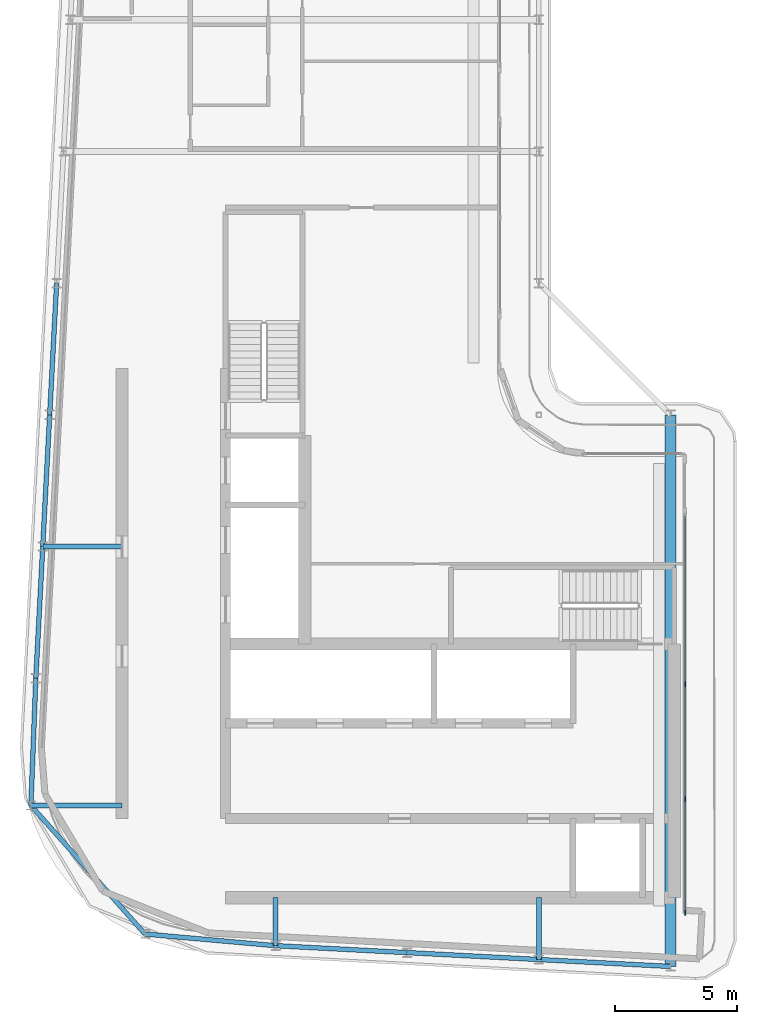
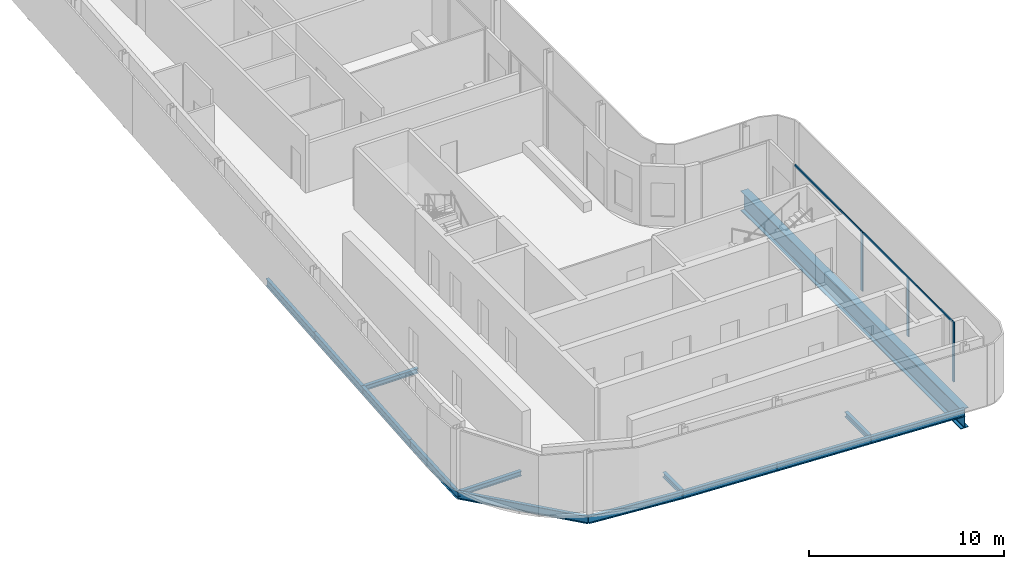
# One storey, part 4 of 18: 14 beams, 5 members, 2 elements without a shape of their own.
"""IFC4 building model written with IfcOpenShell, lengths in metres."""

import ifcopenshell
import ifcopenshell.guid

model = None  # the IFC model being written
_history = None  # IfcOwnerHistory: only IFC2X3 demands one
_inside = {}  # id of a spatial element -> (the spatial element, [elements in it])
_under = {}  # id of a project, library or spatial element -> (it, [spatial elements below it])
_declared = {}  # id of a project -> (the project, [libraries it declares])
_typed = {}  # id of a type object -> (the type object, [elements of that type])
_made_of = {}  # id of a material, layer set ... -> (it, [elements and type objects made of it])


def new_model(schema):
    """Start an empty IFC model of exactly this schema.

    Asked for "IFC4X3", IfcOpenShell would pick the latest addendum, in which some entities
    have other attributes; the version numbers below select the first issue.
    IFC2X3 requires an IfcOwnerHistory on every rooted entity: one is made here for all.
    """
    global model, _history
    if schema == "IFC4X3":
        model = ifcopenshell.file(schema_version=(4, 3, 0, 0))
    else:
        model = ifcopenshell.file(schema=schema)
    _inside.clear()
    _under.clear()
    _declared.clear()
    _typed.clear()
    _made_of.clear()
    _history = None
    if model.schema == "IFC2X3":
        org = make("IfcOrganization", Name="unknown")
        user = make(
            "IfcPersonAndOrganization",
            ThePerson=make("IfcPerson", FamilyName="unknown"),
            TheOrganization=org,
        )
        app = make(
            "IfcApplication",
            ApplicationDeveloper=org,
            Version="unknown",
            ApplicationFullName="unknown",
            ApplicationIdentifier="unknown",
        )
        _history = make(
            "IfcOwnerHistory",
            OwningUser=user,
            OwningApplication=app,
            ChangeAction="ADDED",
            CreationDate=0,
        )
    return model


def make(cls, **values):
    """One entity of the class cls with the attributes given. An attribute that is None is left unset."""
    return model.create_entity(
        cls, **{name: value for name, value in values.items() if value is not None}
    )


def rooted(cls, **values):
    """An entity with a GlobalId (a new one), such as an element, a storey or a relation."""
    return make(cls, GlobalId=ifcopenshell.guid.new(), OwnerHistory=_history, **values)


def si_unit(unit_type, name, prefix=None):
    """IfcSIUnit, for example si_unit("LENGTHUNIT", "METRE", prefix="MILLI")."""
    return make("IfcSIUnit", UnitType=unit_type, Prefix=prefix, Name=name)


def assignment(units):
    """IfcUnitAssignment: the units of a project."""
    return None if units is None else make("IfcUnitAssignment", Units=units)


def point(xyz):
    """IfcCartesianPoint."""
    return None if xyz is None else make("IfcCartesianPoint", Coordinates=xyz)


def direction(xyz):
    """IfcDirection."""
    return None if xyz is None else make("IfcDirection", DirectionRatios=xyz)


def frame(location, z_axis=None, x_axis=None):
    """IfcAxis2Placement3D, a coordinate frame: its origin and axes. An axis left out is left unset."""
    return make(
        "IfcAxis2Placement3D",
        Location=point(location),
        Axis=direction(z_axis),
        RefDirection=direction(x_axis),
    )


def frame_2d(location, x_axis=None):
    """IfcAxis2Placement2D, a coordinate frame in the plane: its origin and x axis."""
    return make(
        "IfcAxis2Placement2D", Location=point(location), RefDirection=direction(x_axis)
    )


def origin():
    """The frame at (0, 0, 0) with its axes left unset."""
    return frame((0.0, 0.0, 0.0))


def origin_2d():
    """The frame at (0, 0) in the plane with its x axis left unset."""
    return frame_2d((0.0, 0.0))


def place(relative_to, where):
    """IfcLocalPlacement: puts the frame where relative to a parent placement (None: the world)."""
    return make(
        "IfcLocalPlacement", PlacementRelTo=relative_to, RelativePlacement=where
    )


def context(
    kind, dimensions, precision=None, world=None, true_north=None, identifier=None
):
    """IfcGeometricRepresentationContext, for example the 3D "Model" context."""
    return make(
        "IfcGeometricRepresentationContext",
        ContextIdentifier=identifier,
        ContextType=kind,
        CoordinateSpaceDimension=dimensions,
        Precision=precision,
        WorldCoordinateSystem=world,
        TrueNorth=true_north,
    )


def subcontext(parent, identifier, kind, view, scale=None):
    """IfcGeometricRepresentationSubContext, for example "Body" below "Model"."""
    return make(
        "IfcGeometricRepresentationSubContext",
        ContextIdentifier=identifier,
        ContextType=kind,
        ParentContext=parent,
        TargetScale=scale,
        TargetView=view,
    )


def project(units=None, contexts=None):
    """IfcProject with its units and contexts."""
    return rooted(
        "IfcProject",
        Name="project",
        RepresentationContexts=contexts,
        UnitsInContext=assignment(units),
    )


def spatial(cls, under=None, at=None, **own):
    """A site, building, storey or space (cls), placed at a placement, below another one or the project."""
    s = rooted(cls, ObjectPlacement=at, **own)
    if under is not None:
        _under.setdefault(under.id(), (under, []))[1].append(s)
    return s


def profile(cls, at=None, kind="AREA", **sizes):
    """A parametric profile (cls). Its sizes go by their IFC names, for example OverallWidth=200.0."""
    return make(cls, ProfileType=kind, Position=at, **sizes)


def rectangle(**sizes):
    """IfcRectangleProfileDef."""
    return profile("IfcRectangleProfileDef", **sizes)


def i_section(**sizes):
    """IfcIShapeProfileDef."""
    return profile("IfcIShapeProfileDef", **sizes)


def extrude(swept, where, along, depth):
    """IfcExtrudedAreaSolid: the profile swept, set in the frame where, extruded along a direction by depth."""
    return make(
        "IfcExtrudedAreaSolid",
        SweptArea=swept,
        Position=where,
        ExtrudedDirection=direction(along),
        Depth=depth,
    )


def shape(context_of_items, identifier, shape_type, items):
    """IfcShapeRepresentation: the items that make up one representation, for example the "Body"."""
    return make(
        "IfcShapeRepresentation",
        ContextOfItems=context_of_items,
        RepresentationIdentifier=identifier,
        RepresentationType=shape_type,
        Items=items,
    )


def material(Name=None, Category=None):
    """IfcMaterial."""
    return make("IfcMaterial", Name=Name, Category=Category)


def layer(
    of_material, thickness, ventilated=None, Name=None, Category=None, Priority=None
):
    """IfcMaterialLayer: one layer of a wall or slab, of a material (None: an air gap)."""
    return make(
        "IfcMaterialLayer",
        Material=of_material,
        LayerThickness=thickness,
        IsVentilated=ventilated,
        Name=Name,
        Category=Category,
        Priority=Priority,
    )


def layer_set(layers, Name=None):
    """IfcMaterialLayerSet."""
    return make("IfcMaterialLayerSet", MaterialLayers=layers, LayerSetName=Name)


def material_profile(
    of_material, cross_section, Name=None, Category=None, Priority=None
):
    """IfcMaterialProfile: a cross section and its material."""
    return make(
        "IfcMaterialProfile",
        Name=Name,
        Material=of_material,
        Profile=cross_section,
        Priority=Priority,
        Category=Category,
    )


def profile_set(profiles, Name=None, composite=None):
    """IfcMaterialProfileSet."""
    return make(
        "IfcMaterialProfileSet",
        Name=Name,
        MaterialProfiles=profiles,
        CompositeProfile=composite,
    )


def made_of(thing, what):
    """Note that an element or type object is made of a material, layer set ...; save() writes the relation."""
    if what is not None:
        _made_of.setdefault(what.id(), (what, []))[1].append(thing)
    return thing


def type_object(cls, material=None, **own):
    """A type object (cls), such as IfcWallType, which elements share."""
    return made_of(rooted(cls, **own), material)


def element(
    cls,
    number,
    at=None,
    inside=None,
    cuts=None,
    type_object=None,
    material=None,
    context=None,
    identifier="Body",
    shape_type=None,
    held_by="IfcProductDefinitionShape",
    body=None,
    shapes=None,
    **own,
):
    """One element of the class cls, such as IfcWall. Its Tag is "e" and its number.

    at: its placement. inside: the storey or other place that contains it. cuts: it is an
    opening in that element (IfcRelVoidsElement). A single representation is given by context,
    identifier, shape_type and body (its items); several are given by shapes. held_by: the class
    of the entity that holds the representations. save() writes the other relations.
    """
    e = rooted(cls, Tag="e%d" % number, ObjectPlacement=at, **own)
    if body is not None:
        shapes = [shape(context, identifier, shape_type, body)]
    if shapes is not None:
        e.Representation = make(held_by, Representations=shapes)
    if inside is not None:
        _inside.setdefault(inside.id(), (inside, []))[1].append(e)
    if cuts is not None:
        rooted(
            "IfcRelVoidsElement", RelatingBuildingElement=cuts, RelatedOpeningElement=e
        )
    if type_object is not None:
        _typed.setdefault(type_object.id(), (type_object, []))[1].append(e)
    return made_of(e, material)


def aggregate(whole, parts):
    """IfcRelAggregates: a whole, such as a stair, and the parts it consists of."""
    return rooted("IfcRelAggregates", RelatingObject=whole, RelatedObjects=parts)


def save(model, path):
    """Write the relations noted so far, then the file.

    IfcRelAggregates (storeys below a building ...), IfcRelContainedInSpatialStructure (elements
    in a storey), IfcRelDefinesByType, IfcRelAssociatesMaterial and IfcRelDeclares: one each for
    every whole, place, type object, material and project.
    """
    for whole, parts in _under.values():
        aggregate(whole, parts)
    for where, things in _inside.values():
        rooted(
            "IfcRelContainedInSpatialStructure",
            RelatedElements=things,
            RelatingStructure=where,
        )
    for kind, things in _typed.values():
        rooted("IfcRelDefinesByType", RelatedObjects=things, RelatingType=kind)
    for what, things in _made_of.values():
        rooted("IfcRelAssociatesMaterial", RelatedObjects=things, RelatingMaterial=what)
    for by, libraries in _declared.values():
        rooted("IfcRelDeclares", RelatingContext=by, RelatedDefinitions=libraries)
    model.write(path)


model = new_model("IFC4")

# Units and contexts
model_context = context("Model", 3, precision=1e-05, world=origin(), true_north=direction((0.0, 1.0)))
body_context = subcontext(model_context, "Body", "Model", "MODEL_VIEW")
ifc_project = project(units=[si_unit("LENGTHUNIT", "METRE"), si_unit("AREAUNIT", "SQUARE_METRE"), si_unit("VOLUMEUNIT", "CUBIC_METRE"), si_unit("PLANEANGLEUNIT", "RADIAN"), si_unit("MASSUNIT", "GRAM", prefix="KILO")], contexts=[model_context])

# Site, building, storey
site_placement = place(None, origin())
site = spatial("IfcSite", under=ifc_project, at=site_placement, CompositionType="ELEMENT")
building_placement = place(site_placement, origin())
building = spatial("IfcBuilding", under=site, at=building_placement, Name="Kheshtan School and Residences Tower", CompositionType="ELEMENT")
storey_placement = place(building_placement, frame((0.0, 0.0, 361.699951171875)))
storey = spatial("IfcBuildingStorey", under=building, at=storey_placement, Name="L85", CompositionType="ELEMENT", Elevation=361.699951171875)

# Beams
ifc_material_1 = material(Name="Steel ASTM A992 Grade 50", Category="steel")
ifc_material_profile_1 = material_profile(ifc_material_1, i_section(OverallWidth=0.202880859375, OverallDepth=0.302978515625, WebThickness=0.007568359375, FlangeThickness=0.01318359375, FilletRadius=0.009033203125, at=origin_2d()), Name="W310x60")
ifc_profile_set_1 = profile_set([ifc_material_profile_1], Name="Steel ASTM A992 Grade 50")
beam_type_1 = type_object("IfcBeamType", Name="Beam FB1 W310x60 ASTM A992 Grade 50", PredefinedType="BEAM", material=ifc_profile_set_1)
beam_1_placement = place(storey_placement, frame((47.60009765625, 23.263916015625, -0.301513671875), z_axis=(0.0, 1.0, 0.0), x_axis=(-1.0, 0.0, 0.0)))
element("IfcBeam", 1, at=beam_1_placement, inside=storey, type_object=beam_type_1, Name="Floor beam C020", PredefinedType="BEAM", context=body_context, shape_type="SweptSolid", body=[
    extrude(i_section(OverallWidth=0.202880859375, OverallDepth=0.302978515625, WebThickness=0.007568359375, FlangeThickness=0.01318359375, FilletRadius=0.009033203125, at=origin_2d()), origin(), (0.0, 0.0, 1.0), 2.5361328125),
])
beam_2_placement = place(storey_placement, frame((36.800048828125, 23.83203125, -0.301513671875), z_axis=(0.0, 1.0, 0.0), x_axis=(-1.0, 0.0, 0.0)))
element("IfcBeam", 2, at=beam_2_placement, inside=storey, type_object=beam_type_1, Name="Floor beam C022", PredefinedType="BEAM", context=body_context, shape_type="SweptSolid", body=[
    extrude(i_section(OverallWidth=0.202880859375, OverallDepth=0.302978515625, WebThickness=0.007568359375, FlangeThickness=0.01318359375, FilletRadius=0.009033203125, at=origin_2d()), origin(), (0.0, 0.0, 1.0), 1.968017578125),
])
beam_3_placement = place(storey_placement, frame((26.76708984375, 29.58203125, -0.301513671875), z_axis=(1.0, 0.0, 0.0), x_axis=(0.0, 1.0, 0.0)))
element("IfcBeam", 3, at=beam_3_placement, inside=storey, type_object=beam_type_1, Name="Floor beam C048", PredefinedType="BEAM", context=body_context, shape_type="SweptSolid", body=[
    extrude(i_section(OverallWidth=0.202880859375, OverallDepth=0.302978515625, WebThickness=0.007568359375, FlangeThickness=0.01318359375, FilletRadius=0.009033203125, at=origin_2d()), origin(), (0.0, 0.0, 1.0), 3.73291015625),
])
beam_4_placement = place(storey_placement, frame((27.2529296875, 40.199951171875, -0.301513671875), z_axis=(1.0, 0.0, 0.0), x_axis=(0.0, 1.0, 0.0)))
element("IfcBeam", 4, at=beam_4_placement, inside=storey, type_object=beam_type_1, Name="Floor beam C056", PredefinedType="BEAM", context=body_context, shape_type="SweptSolid", body=[
    extrude(i_section(OverallWidth=0.202880859375, OverallDepth=0.302978515625, WebThickness=0.007568359375, FlangeThickness=0.01318359375, FilletRadius=0.009033203125, at=origin_2d()), origin(), (0.0, 0.0, 1.0), 3.2470703125),
])
ifc_material_profile_2 = material_profile(ifc_material_1, i_section(OverallWidth=0.18994140625, OverallDepth=0.45703125, WebThickness=0.009033203125, FlangeThickness=0.014404296875, FilletRadius=0.01318359375, at=origin_2d()), Name="W460x74")
ifc_profile_set_2 = profile_set([ifc_material_profile_2], Name="Steel ASTM A992 Grade 50")
beam_type_2 = type_object("IfcBeamType", Name="Beam SP4 W460x74 ASTM A992 Grade 50", PredefinedType="BEAM", material=ifc_profile_set_2)
beam_5_placement = place(storey_placement, frame((53.0, 22.97998046875, -0.37841796875), z_axis=(-0.998620447272, 0.05250906864, 0.0), x_axis=(-0.05250906864, -0.998620447272, 0.0)))
element("IfcBeam", 5, at=beam_5_placement, inside=storey, type_object=beam_type_2, Name="Spandrel beam C019-C020", PredefinedType="BEAM", context=body_context, shape_type="SweptSolid", body=[
    extrude(i_section(OverallWidth=0.18994140625, OverallDepth=0.45703125, WebThickness=0.009033203125, FlangeThickness=0.014404296875, FilletRadius=0.01318359375, at=origin_2d()), origin(), (0.0, 0.0, 1.0), 5.407470703125),
])
beam_6_placement = place(storey_placement, frame((47.60009765625, 23.263916015625, -0.37841796875), z_axis=(-0.998618203458, 0.052551724256, 0.0), x_axis=(-0.052551724256, -0.998618203458, 0.0)))
element("IfcBeam", 6, at=beam_6_placement, inside=storey, type_object=beam_type_2, Name="Spandrel beam C020-C021", PredefinedType="BEAM", context=body_context, shape_type="SweptSolid", body=[
    extrude(i_section(OverallWidth=0.18994140625, OverallDepth=0.45703125, WebThickness=0.009033203125, FlangeThickness=0.014404296875, FilletRadius=0.01318359375, at=origin_2d()), origin(), (0.0, 0.0, 1.0), 5.40771484375),
])
beam_7_placement = place(storey_placement, frame((42.199951171875, 23.548095703125, -0.37841796875), z_axis=(-0.998620447272, 0.05250906864, 0.0), x_axis=(-0.05250906864, -0.998620447272, 0.0)))
element("IfcBeam", 7, at=beam_7_placement, inside=storey, type_object=beam_type_2, Name="Spandrel beam C021-C022", PredefinedType="BEAM", context=body_context, shape_type="SweptSolid", body=[
    extrude(i_section(OverallWidth=0.18994140625, OverallDepth=0.45703125, WebThickness=0.009033203125, FlangeThickness=0.014404296875, FilletRadius=0.01318359375, at=origin_2d()), origin(), (0.0, 0.0, 1.0), 5.407470703125),
])
beam_8_placement = place(storey_placement, frame((36.800048828125, 23.83203125, -0.37841796875), z_axis=(-0.996036411806, 0.088946424077, 0.0), x_axis=(-0.088946424077, -0.996036411806, 0.0)))
element("IfcBeam", 8, at=beam_8_placement, inside=storey, type_object=beam_type_2, Name="Spandrel beam C022-C034", PredefinedType="BEAM", context=body_context, shape_type="SweptSolid", body=[
    extrude(i_section(OverallWidth=0.18994140625, OverallDepth=0.45703125, WebThickness=0.009033203125, FlangeThickness=0.014404296875, FilletRadius=0.01318359375, at=origin_2d()), origin(), (0.0, 0.0, 1.0), 5.374267578125),
])
beam_9_placement = place(storey_placement, frame((31.447021484375, 24.31005859375, -0.37841796875), z_axis=(-0.663867136248, 0.747850536812, 0.0), x_axis=(-0.747850536812, -0.663867136248, 0.0)))
element("IfcBeam", 9, at=beam_9_placement, inside=storey, type_object=beam_type_2, Name="Spandrel beam C034-C048", PredefinedType="BEAM", context=body_context, shape_type="SweptSolid", body=[
    extrude(i_section(OverallWidth=0.18994140625, OverallDepth=0.45703125, WebThickness=0.009033203125, FlangeThickness=0.014404296875, FilletRadius=0.01318359375, at=origin_2d()), origin(), (0.0, 0.0, 1.0), 7.049560546875),
])
beam_10_placement = place(storey_placement, frame((26.76708984375, 29.58203125, -0.37841796875), z_axis=(0.038664745323, 0.999252239161, 0.0), x_axis=(-0.999252239161, 0.038664745323, 0.0)))
element("IfcBeam", 10, at=beam_10_placement, inside=storey, type_object=beam_type_2, Name="Spandrel beam C048-C052", PredefinedType="BEAM", context=body_context, shape_type="SweptSolid", body=[
    extrude(i_section(OverallWidth=0.18994140625, OverallDepth=0.45703125, WebThickness=0.009033203125, FlangeThickness=0.014404296875, FilletRadius=0.01318359375, at=origin_2d()), origin(), (0.0, 0.0, 1.0), 5.221923828125),
])
beam_11_placement = place(storey_placement, frame((26.968994140625, 34.800048828125, -0.37841796875), z_axis=(0.05250906864, 0.998620447272, 0.0), x_axis=(-0.998620447272, 0.05250906864, 0.0)))
element("IfcBeam", 11, at=beam_11_placement, inside=storey, type_object=beam_type_2, Name="Spandrel beam C052-C056", PredefinedType="BEAM", context=body_context, shape_type="SweptSolid", body=[
    extrude(i_section(OverallWidth=0.18994140625, OverallDepth=0.45703125, WebThickness=0.009033203125, FlangeThickness=0.014404296875, FilletRadius=0.01318359375, at=origin_2d()), origin(), (0.0, 0.0, 1.0), 5.407470703125),
])
beam_12_placement = place(storey_placement, frame((27.2529296875, 40.199951171875, -0.37841796875), z_axis=(0.052551724256, 0.998618203458, 0.0), x_axis=(-0.998618203458, 0.052551724256, 0.0)))
element("IfcBeam", 12, at=beam_12_placement, inside=storey, type_object=beam_type_2, Name="Spandrel beam C056-C059", PredefinedType="BEAM", context=body_context, shape_type="SweptSolid", body=[
    extrude(i_section(OverallWidth=0.18994140625, OverallDepth=0.45703125, WebThickness=0.009033203125, FlangeThickness=0.014404296875, FilletRadius=0.01318359375, at=origin_2d()), origin(), (0.0, 0.0, 1.0), 5.40771484375),
])
beam_13_placement = place(storey_placement, frame((27.537109375, 45.60009765625, -0.37841796875), z_axis=(0.052689166816, 0.998610961136, 0.0), x_axis=(-0.998610961136, 0.052689166816, 0.0)))
element("IfcBeam", 13, at=beam_13_placement, inside=storey, type_object=beam_type_2, Name="Spandrel beam C059-C078", PredefinedType="BEAM", context=body_context, shape_type="SweptSolid", body=[
    extrude(i_section(OverallWidth=0.18994140625, OverallDepth=0.45703125, WebThickness=0.009033203125, FlangeThickness=0.014404296875, FilletRadius=0.01318359375, at=origin_2d()), origin(), (0.0, 0.0, 1.0), 5.407470703125),
])

# Curtain wall, member
ifc_material_2 = material(Name="Clear low-e glass in thermally broken aluminium frame", Category="aluminium")
ifc_layer = layer(ifc_material_2, 0.199951171875)
ifc_layer_set = layer_set([ifc_layer], Name="Curtain wall CW-L")
curtain_wall_type = type_object("IfcCurtainWallType", Name="Curtain wall CW-L", PredefinedType="NOTDEFINED", material=ifc_layer_set)
curtain_wall_1_placement = place(storey_placement, origin())
curtain_wall_1 = element("IfcCurtainWall", 14, at=curtain_wall_1_placement, inside=storey, type_object=curtain_wall_type, Name="Curtain wall CWL13h", PredefinedType="NOTDEFINED")
ifc_material_3 = material(Name="Thermally broken aluminium, dark bronze anodised", Category="aluminium")
ifc_material_profile_3 = material_profile(ifc_material_3, rectangle(XDim=0.06005859375, YDim=0.199951171875, at=origin_2d()), Name="CW-L mullion 60x200")
ifc_profile_set_3 = profile_set([ifc_material_profile_3], Name="Thermally broken aluminium, dark bronze anodised")
member_type_1 = type_object("IfcMemberType", Name="CW-L mullion 60x200", PredefinedType="MULLION", material=ifc_profile_set_3)
member_1_placement = place(storey_placement, frame((53.60009765625, 34.55810546875, 0.0), z_axis=(0.0, 0.0, 1.0), x_axis=(1.0, 0.0, 0.0)))
member_1 = element("IfcMember", 15, at=member_1_placement, type_object=member_type_1, Name="CWL13h mullion 2", PredefinedType="MULLION", context=body_context, shape_type="SweptSolid", body=[
    extrude(rectangle(XDim=0.06005859375, YDim=0.199951171875, at=origin_2d()), origin(), (0.0, 0.0, 1.0), 3.75),
])

# Curtain wall, members
curtain_wall_2_placement = place(storey_placement, origin())
curtain_wall_2 = element("IfcCurtainWall", 16, at=curtain_wall_2_placement, inside=storey, type_object=curtain_wall_type, Name="Curtain wall CWL13i", PredefinedType="NOTDEFINED")
member_2_placement = place(storey_placement, frame((53.60009765625, 29.842041015625, 0.0), z_axis=(0.0, 0.0, 1.0), x_axis=(1.0, 0.0, 0.0)))
member_2 = element("IfcMember", 17, at=member_2_placement, type_object=member_type_1, Name="CWL13i mullion 2", PredefinedType="MULLION", context=body_context, shape_type="SweptSolid", body=[
    extrude(rectangle(XDim=0.06005859375, YDim=0.199951171875, at=origin_2d()), origin(), (0.0, 0.0, 1.0), 3.630126953125),
])
member_3_placement = place(storey_placement, frame((53.60009765625, 25.18603515625, 0.0), z_axis=(0.0, 0.0, 1.0), x_axis=(1.0, 0.0, 0.0)))
member_3 = element("IfcMember", 18, at=member_3_placement, type_object=member_type_1, Name="CWL13i mullion 3", PredefinedType="MULLION", context=body_context, shape_type="SweptSolid", body=[
    extrude(rectangle(XDim=0.06005859375, YDim=0.199951171875, at=origin_2d()), origin(), (0.0, 0.0, 1.0), 3.75),
])

# Member
ifc_material_profile_4 = material_profile(ifc_material_3, rectangle(XDim=0.06005859375, YDim=0.1201171875, at=origin_2d()), Name="CW-L transom 60x120")
ifc_profile_set_4 = profile_set([ifc_material_profile_4], Name="Thermally broken aluminium, dark bronze anodised")
member_type_2 = type_object("IfcMemberType", Name="CW-L transom 60x120", PredefinedType="USERDEFINED", material=ifc_profile_set_4)
member_4_placement = place(storey_placement, frame((53.60009765625, 41.43994140625, 3.68994140625), z_axis=(0.0, -1.0, 0.0), x_axis=(1.0, 0.0, 0.0)))
member_4 = element("IfcMember", 19, at=member_4_placement, type_object=member_type_2, Name="CWL13h transom 1", ObjectType="TRANSOM", PredefinedType="USERDEFINED", context=body_context, shape_type="SweptSolid", body=[
    extrude(rectangle(XDim=0.06005859375, YDim=0.1201171875, at=origin_2d()), origin(), (0.0, 0.0, 1.0), 6.85205078125),
])

aggregate(curtain_wall_1, [member_1, member_4])

member_5_placement = place(storey_placement, frame((53.60009765625, 34.528076171875, 3.68994140625), z_axis=(0.0, -1.0, 0.0), x_axis=(1.0, 0.0, 0.0)))
member_5 = element("IfcMember", 20, at=member_5_placement, type_object=member_type_2, Name="CWL13i transom 1", ObjectType="TRANSOM", PredefinedType="USERDEFINED", context=body_context, shape_type="SweptSolid", body=[
    extrude(rectangle(XDim=0.06005859375, YDim=0.1201171875, at=origin_2d()), origin(), (0.0, 0.0, 1.0), 9.31201171875),
])

aggregate(curtain_wall_2, [member_2, member_3, member_5])

# Beam
ifc_material_profile_5 = material_profile(ifc_material_1, i_section(OverallWidth=0.449951171875, OverallDepth=1.25, WebThickness=0.02490234375, FlangeThickness=0.044921875, FilletRadius=0.03759765625, at=origin_2d()), Name="WWF1250x546")
ifc_profile_set_5 = profile_set([ifc_material_profile_5], Name="Steel ASTM A992 Grade 50")
beam_type_3 = type_object("IfcBeamType", Name="Transfer girder TG4 WWF1250x546 ASTM A992 Grade 50", PredefinedType="BEAM", material=ifc_profile_set_5)
beam_14_placement = place(storey_placement, frame((53.0, 45.60009765625, -0.77490234375), z_axis=(0.0, -1.0, 0.0), x_axis=(1.0, 0.0, 0.0)))
element("IfcBeam", 21, at=beam_14_placement, inside=storey, type_object=beam_type_3, Name="Transfer girder C061-C019", PredefinedType="BEAM", context=body_context, shape_type="SweptSolid", body=[
    extrude(i_section(OverallWidth=0.449951171875, OverallDepth=1.25, WebThickness=0.02490234375, FlangeThickness=0.044921875, FilletRadius=0.03759765625, at=origin_2d()), origin(), (0.0, 0.0, 1.0), 22.6201171875),
])

save(model, "model.ifc")
